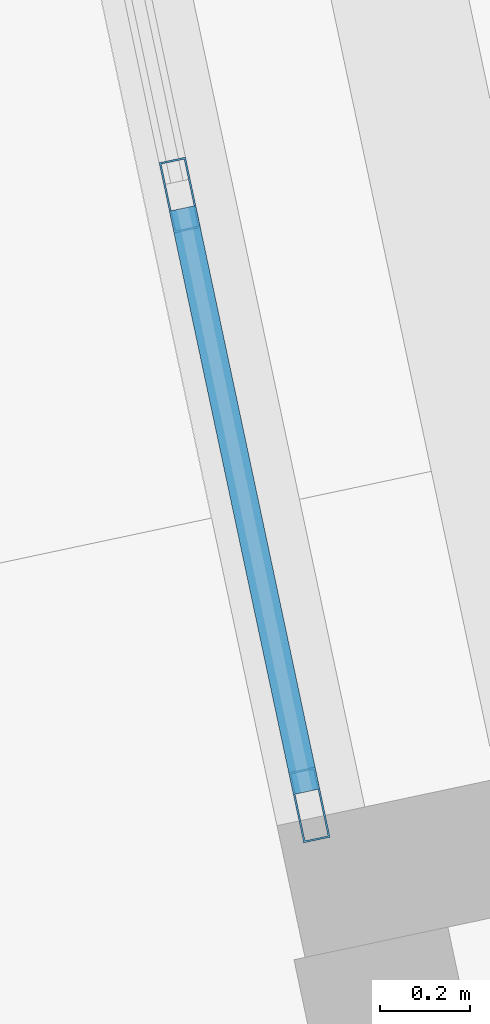
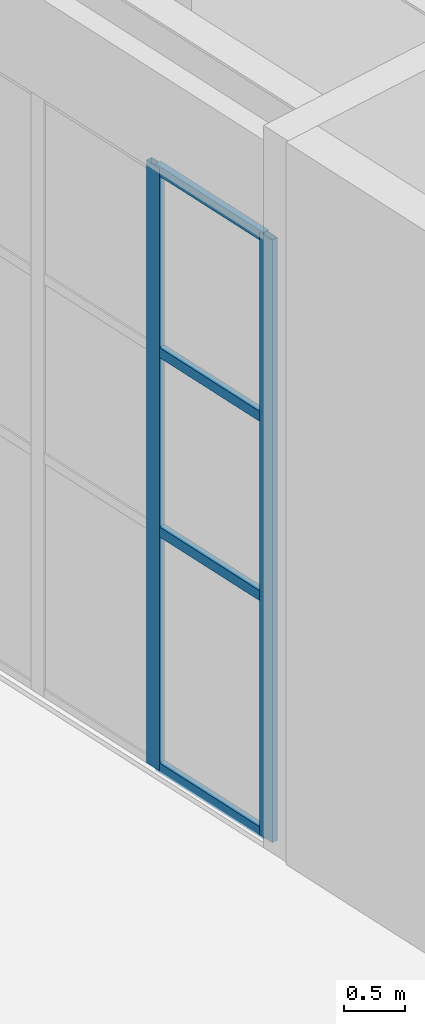
# One storey, part 52 of 239: 6 members, 1 element without a shape of its own.
"""IFC4 building model written with IfcOpenShell, lengths in metres."""

from ifc_helpers import new_model, si_unit, direction, frame, origin, origin_2d, place, context, subcontext, project, spatial, hollow_rectangle, extrude, material, material_profile, profile_set, type_object, element, aggregate, save


model = new_model("IFC4")

# Units and contexts
model_context = context("Model", 3, precision=1e-05, world=origin(), true_north=direction((0.0, 1.0)))
body_context = subcontext(model_context, "Body", "Model", "MODEL_VIEW")
ifc_project = project(units=[si_unit("LENGTHUNIT", "METRE"), si_unit("AREAUNIT", "SQUARE_METRE"), si_unit("VOLUMEUNIT", "CUBIC_METRE"), si_unit("PLANEANGLEUNIT", "RADIAN"), si_unit("MASSUNIT", "GRAM", prefix="KILO")], contexts=[model_context])

# Site, building, storey
site_placement = place(None, origin())
site = spatial("IfcSite", under=ifc_project, at=site_placement, CompositionType="ELEMENT")
building_placement = place(site_placement, origin())
building = spatial("IfcBuilding", under=site, at=building_placement, Name="Okhra Congress Centre", CompositionType="ELEMENT")
storey_placement = place(building_placement, origin())
storey = spatial("IfcBuildingStorey", under=building, at=storey_placement, Name="L00", CompositionType="ELEMENT", Elevation=0.0)

# Curtain wall, members
ifc_material_1 = material(Name="Aluminium curtain wall, triple glazing", Category="aluminium")
curtain_wall_type = type_object("IfcCurtainWallType", Name="Curtain wall 1500 module", PredefinedType="NOTDEFINED", material=ifc_material_1)
curtain_wall_placement = place(storey_placement, origin())
curtain_wall = element("IfcCurtainWall", 1, at=curtain_wall_placement, inside=storey, type_object=curtain_wall_type, Name="Ground curtain wall W12", PredefinedType="NOTDEFINED")
ifc_material_2 = material(Name="Aluminium alloy EN AW-6063 T66", Category="aluminium")
ifc_material_profile_1 = material_profile(ifc_material_2, hollow_rectangle(XDim=0.06005859375, YDim=0.159912109375, WallThickness=0.00390625, at=origin_2d()), Name="RHS 60x160x4")
ifc_profile_set_1 = profile_set([ifc_material_profile_1], Name="Aluminium alloy EN AW-6063 T66")
member_type_1 = type_object("IfcMemberType", Name="Curtain wall mullion 60x160", PredefinedType="MULLION", material=ifc_profile_set_1)
member_1_placement = place(storey_placement, frame((64.56005859375, 39.8369140625, 0.0), z_axis=(0.0, 0.0, 1.0), x_axis=(-0.978147600734, -0.207911690818, 0.0)))
member_1 = element("IfcMember", 2, at=member_1_placement, type_object=member_type_1, Name="CW7 mullion 1", PredefinedType="MULLION", context=body_context, shape_type="SweptSolid", body=[
    extrude(hollow_rectangle(XDim=0.06005859375, YDim=0.159912109375, WallThickness=0.00390625, at=origin_2d()), origin(), (0.0, 0.0, 1.0), 6.050048828125),
])
member_2_placement = place(storey_placement, frame((64.271484375, 41.194580078125, 0.0), z_axis=(0.0, 0.0, 1.0), x_axis=(-0.978147600734, -0.207911690818, 0.0)))
member_2 = element("IfcMember", 3, at=member_2_placement, type_object=member_type_1, Name="CW7 mullion 2", PredefinedType="MULLION", context=body_context, shape_type="SweptSolid", body=[
    extrude(hollow_rectangle(XDim=0.06005859375, YDim=0.159912109375, WallThickness=0.00390625, at=origin_2d()), origin(), (0.0, 0.0, 1.0), 6.050048828125),
])
ifc_material_profile_2 = material_profile(ifc_material_2, hollow_rectangle(XDim=0.06005859375, YDim=0.10009765625, WallThickness=0.00390625, at=origin_2d()), Name="RHS 60x100x4")
ifc_profile_set_2 = profile_set([ifc_material_profile_2], Name="Aluminium alloy EN AW-6063 T66")
member_type_2 = type_object("IfcMemberType", Name="Curtain wall transom 60x100", PredefinedType="USERDEFINED", material=ifc_profile_set_2)
member_3_placement = place(storey_placement, frame((64.5537109375, 39.8662109375, 0.030029296875), z_axis=(-0.207946713566, 0.978140155764, 0.0), x_axis=(-0.978140155764, -0.207946713566, 0.0)))
member_3 = element("IfcMember", 4, at=member_3_placement, type_object=member_type_2, Name="CW7 transom 1.1", ObjectType="TRANSOM", PredefinedType="USERDEFINED", context=body_context, shape_type="SweptSolid", body=[
    extrude(hollow_rectangle(XDim=0.06005859375, YDim=0.10009765625, WallThickness=0.00390625, at=origin_2d()), origin(), (0.0, 0.0, 1.0), 1.327880859375),
])
member_4_placement = place(storey_placement, frame((64.5537109375, 39.8662109375, 2.39990234375), z_axis=(-0.207946713566, 0.978140155764, 0.0), x_axis=(-0.978140155764, -0.207946713566, 0.0)))
member_4 = element("IfcMember", 5, at=member_4_placement, type_object=member_type_2, Name="CW7 transom 1.2", ObjectType="TRANSOM", PredefinedType="USERDEFINED", context=body_context, shape_type="SweptSolid", body=[
    extrude(hollow_rectangle(XDim=0.06005859375, YDim=0.10009765625, WallThickness=0.00390625, at=origin_2d()), origin(), (0.0, 0.0, 1.0), 1.327880859375),
])
member_5_placement = place(storey_placement, frame((64.5537109375, 39.8662109375, 4.199951171875), z_axis=(-0.207946713566, 0.978140155764, 0.0), x_axis=(-0.978140155764, -0.207946713566, 0.0)))
member_5 = element("IfcMember", 6, at=member_5_placement, type_object=member_type_2, Name="CW7 transom 1.3", ObjectType="TRANSOM", PredefinedType="USERDEFINED", context=body_context, shape_type="SweptSolid", body=[
    extrude(hollow_rectangle(XDim=0.06005859375, YDim=0.10009765625, WallThickness=0.00390625, at=origin_2d()), origin(), (0.0, 0.0, 1.0), 1.327880859375),
])
member_6_placement = place(storey_placement, frame((64.5537109375, 39.8662109375, 6.02001953125), z_axis=(-0.207946713566, 0.978140155764, 0.0), x_axis=(-0.978140155764, -0.207946713566, 0.0)))
member_6 = element("IfcMember", 7, at=member_6_placement, type_object=member_type_2, Name="CW7 transom 1.4", ObjectType="TRANSOM", PredefinedType="USERDEFINED", context=body_context, shape_type="SweptSolid", body=[
    extrude(hollow_rectangle(XDim=0.06005859375, YDim=0.10009765625, WallThickness=0.00390625, at=origin_2d()), origin(), (0.0, 0.0, 1.0), 1.327880859375),
])
aggregate(curtain_wall, [member_1, member_2, member_3, member_4, member_5, member_6])

save(model, "model.ifc")
